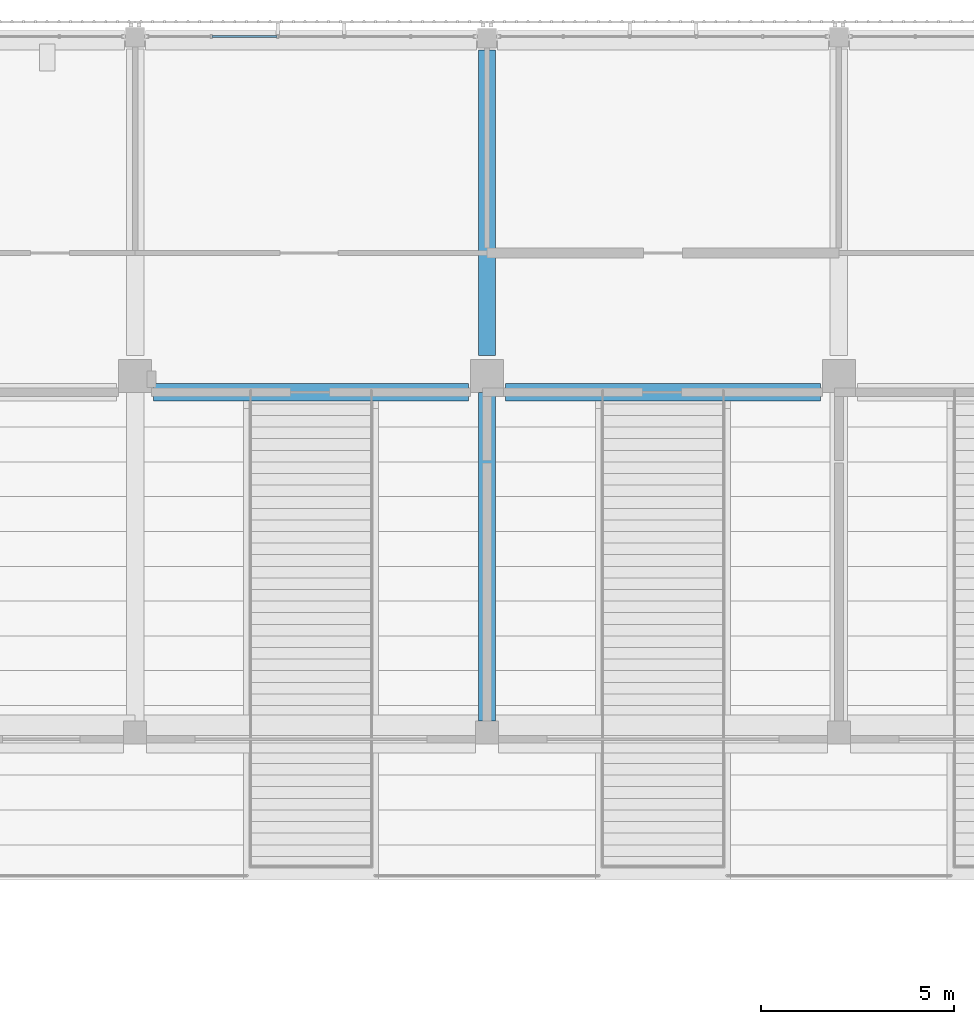
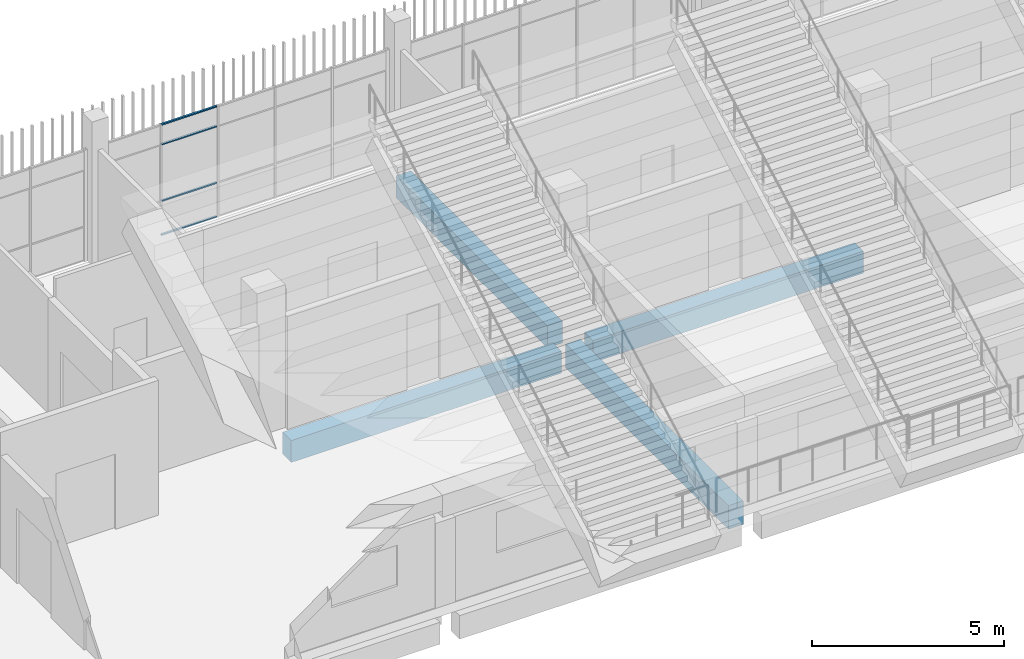
# One storey, part 40 of 139: 4 beams, 4 members, 1 element without a shape of its own.
"""IFC4 building model written with IfcOpenShell, lengths in metres."""

from ifc_helpers import new_model, si_unit, direction, frame, origin, origin_2d, place, context, subcontext, project, spatial, rectangle, hollow_rectangle, extrude, material, layer, layer_set, material_profile, profile_set, type_object, element, aggregate, save


model = new_model("IFC4")

# Units and contexts
model_context = context("Model", 3, precision=1e-05, world=origin(), true_north=direction((0.0, 1.0)))
body_context = subcontext(model_context, "Body", "Model", "MODEL_VIEW")
ifc_project = project(units=[si_unit("LENGTHUNIT", "METRE"), si_unit("AREAUNIT", "SQUARE_METRE"), si_unit("VOLUMEUNIT", "CUBIC_METRE"), si_unit("PLANEANGLEUNIT", "RADIAN"), si_unit("MASSUNIT", "GRAM", prefix="KILO")], contexts=[model_context])

# Site, building, storey
site_placement = place(None, origin())
site = spatial("IfcSite", under=ifc_project, at=site_placement, CompositionType="ELEMENT")
building_placement = place(site_placement, origin())
building = spatial("IfcBuilding", under=site, at=building_placement, Name="Shirokan Park Arena", CompositionType="ELEMENT")
storey_placement = place(building_placement, frame((0.0, 0.0, 15.469970703125)))
storey = spatial("IfcBuildingStorey", under=building, at=storey_placement, Name="L03", CompositionType="ELEMENT", Elevation=15.469970703125)

# Beams
ifc_material_1 = material(Name="Concrete C35", Category="concrete")
ifc_material_profile_1 = material_profile(ifc_material_1, rectangle(XDim=0.449951171875, YDim=0.699951171875, at=origin_2d()), Name="450x700")
ifc_profile_set_1 = profile_set([ifc_material_profile_1], Name="Concrete C35")
beam_type_1 = type_object("IfcBeamType", Name="RC girder 450x700", PredefinedType="BEAM", material=ifc_profile_set_1)
beam_1_placement = place(storey_placement, frame((45.97509765625, 100.10009765625, -0.64990234375), z_axis=(1.0, 0.0, 0.0), x_axis=(0.0, 1.0, 0.0)))
element("IfcBeam", 1, at=beam_1_placement, inside=storey, type_object=beam_type_1, Name="Girder 6M-7M L03", PredefinedType="BEAM", context=body_context, shape_type="SweptSolid", body=[
    extrude(rectangle(XDim=0.449951171875, YDim=0.699951171875, at=origin_2d()), origin(), (0.0, 0.0, 1.0), 8.14990234375),
])
beam_2_placement = place(storey_placement, frame((55.0751953125, 100.10009765625, -0.64990234375), z_axis=(1.0, 0.0, 0.0), x_axis=(0.0, 1.0, 0.0)))
element("IfcBeam", 2, at=beam_2_placement, inside=storey, type_object=beam_type_1, Name="Girder 7M-8M L03", PredefinedType="BEAM", context=body_context, shape_type="SweptSolid", body=[
    extrude(rectangle(XDim=0.449951171875, YDim=0.699951171875, at=origin_2d()), origin(), (0.0, 0.0, 1.0), 8.149658203125),
])
beam_3_placement = place(storey_placement, frame((54.60009765625, 101.050048828125, -0.64990234375), z_axis=(0.0, 1.0, 0.0), x_axis=(-1.0, 0.0, 0.0)))
element("IfcBeam", 3, at=beam_3_placement, inside=storey, type_object=beam_type_1, Name="Girder 7M-7N L03", PredefinedType="BEAM", context=body_context, shape_type="SweptSolid", body=[
    extrude(rectangle(XDim=0.449951171875, YDim=0.699951171875, at=origin_2d()), origin(), (0.0, 0.0, 1.0), 7.89990234375),
])
ifc_material_profile_2 = material_profile(ifc_material_1, rectangle(XDim=0.449951171875, YDim=0.75, at=origin_2d()), Name="450x750")
ifc_profile_set_2 = profile_set([ifc_material_profile_2], Name="Concrete C35")
beam_type_2 = type_object("IfcBeamType", Name="RC girder 450x750", PredefinedType="BEAM", material=ifc_profile_set_2)
beam_4_placement = place(storey_placement, frame((54.60009765625, 91.60009765625, -0.675048828125), z_axis=(0.0, 1.0, 0.0), x_axis=(-1.0, 0.0, 0.0)))
element("IfcBeam", 4, at=beam_4_placement, inside=storey, type_object=beam_type_2, Name="Girder 7L-7M L03", PredefinedType="BEAM", context=body_context, shape_type="SweptSolid", body=[
    extrude(rectangle(XDim=0.449951171875, YDim=0.75, at=origin_2d()), origin(), (0.0, 0.0, 1.0), 8.499755859375),
])

# Curtain wall, members
ifc_material_2 = material(Name="Steel and glass curtain wall", Category="steel")
ifc_layer = layer(ifc_material_2, 0.10009765625)
ifc_layer_set = layer_set([ifc_layer], Name="Steel and glass curtain wall 100 mm")
curtain_wall_type = type_object("IfcCurtainWallType", Name="Curtain wall sheltered bay 100", PredefinedType="NOTDEFINED", material=ifc_layer_set)
curtain_wall_placement = place(storey_placement, origin())
curtain_wall = element("IfcCurtainWall", 5, at=curtain_wall_placement, inside=storey, type_object=curtain_wall_type, Name="Curtain wall north bay 11 L03", PredefinedType="NOTDEFINED")
ifc_material_3 = material(Name="Steel S355", Category="steel")
ifc_material_profile_3 = material_profile(ifc_material_3, hollow_rectangle(XDim=0.06005859375, YDim=0.0400390625, WallThickness=0.00390625, at=origin_2d()), Name="RHS 60x40x4")
ifc_profile_set_3 = profile_set([ifc_material_profile_3], Name="Steel S355")
member_type = type_object("IfcMemberType", Name="Transom RHS 60x40x4", PredefinedType="MULLION", material=ifc_profile_set_3)
member_1_placement = place(storey_placement, frame((49.1650390625, 109.300048828125, 0.02001953125), z_axis=(-1.0, 0.0, 0.0), x_axis=(0.0, -1.0, 0.0)))
member_1 = element("IfcMember", 6, at=member_1_placement, type_object=member_type, Name="CW2 transom 4.1", PredefinedType="MULLION", context=body_context, shape_type="SweptSolid", body=[
    extrude(hollow_rectangle(XDim=0.06005859375, YDim=0.0400390625, WallThickness=0.00390625, at=origin_2d()), origin(), (0.0, 0.0, 1.0), 1.669921875),
])
member_2_placement = place(storey_placement, frame((49.1650390625, 109.300048828125, 1.10009765625), z_axis=(-1.0, 0.0, 0.0), x_axis=(0.0, -1.0, 0.0)))
member_2 = element("IfcMember", 7, at=member_2_placement, type_object=member_type, Name="CW2 transom 4.2", PredefinedType="MULLION", context=body_context, shape_type="SweptSolid", body=[
    extrude(hollow_rectangle(XDim=0.06005859375, YDim=0.0400390625, WallThickness=0.00390625, at=origin_2d()), origin(), (0.0, 0.0, 1.0), 1.669921875),
])
member_3_placement = place(storey_placement, frame((49.1650390625, 109.300048828125, 2.900146484375), z_axis=(-1.0, 0.0, 0.0), x_axis=(0.0, -1.0, 0.0)))
member_3 = element("IfcMember", 8, at=member_3_placement, type_object=member_type, Name="CW2 transom 4.3", PredefinedType="MULLION", context=body_context, shape_type="SweptSolid", body=[
    extrude(hollow_rectangle(XDim=0.06005859375, YDim=0.0400390625, WallThickness=0.00390625, at=origin_2d()), origin(), (0.0, 0.0, 1.0), 1.669921875),
])
member_4_placement = place(storey_placement, frame((49.1650390625, 109.300048828125, 3.530029296875), z_axis=(-1.0, 0.0, 0.0), x_axis=(0.0, -1.0, 0.0)))
member_4 = element("IfcMember", 9, at=member_4_placement, type_object=member_type, Name="CW2 transom 4.4", PredefinedType="MULLION", context=body_context, shape_type="SweptSolid", body=[
    extrude(hollow_rectangle(XDim=0.06005859375, YDim=0.0400390625, WallThickness=0.00390625, at=origin_2d()), origin(), (0.0, 0.0, 1.0), 1.669921875),
])
aggregate(curtain_wall, [member_1, member_2, member_3, member_4])

save(model, "model.ifc")
